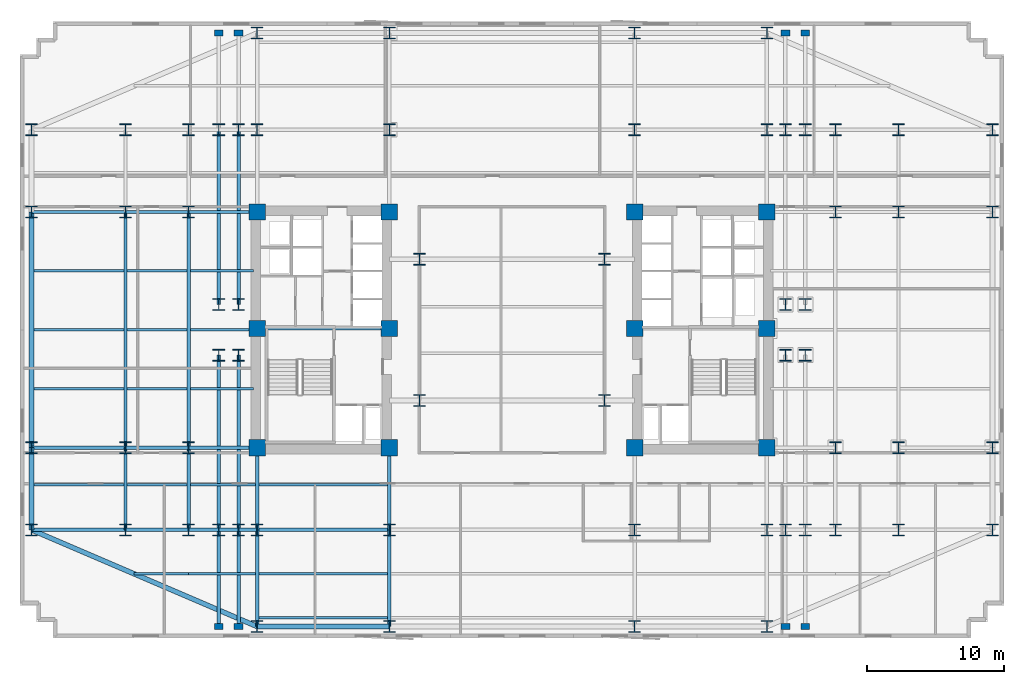
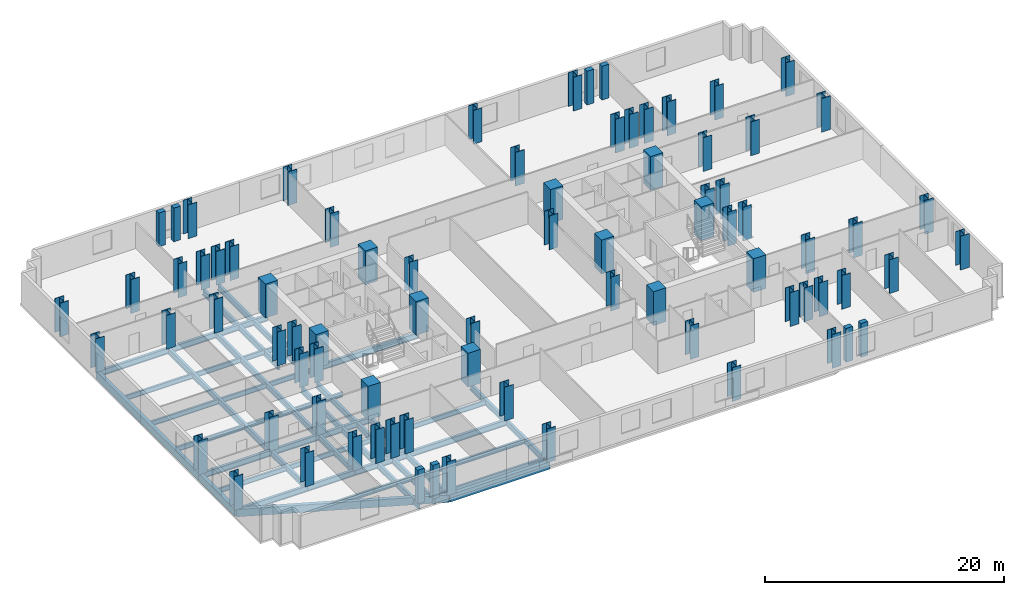
# One storey, part 1 of 10: 80 columns, 46 beams.
"""IFC4 building model written with IfcOpenShell, lengths in metres."""

from ifc_helpers import new_model, si_unit, direction, frame, origin, origin_2d, place, context, subcontext, project, spatial, rectangle, i_section, extrude, material, material_profile, profile_set, type_object, element, save


model = new_model("IFC4")

# Units and contexts
model_context = context("Model", 3, precision=1e-05, world=origin(), true_north=direction((0.0, 1.0)))
body_context = subcontext(model_context, "Body", "Model", "MODEL_VIEW")
ifc_project = project(units=[si_unit("LENGTHUNIT", "METRE"), si_unit("AREAUNIT", "SQUARE_METRE"), si_unit("VOLUMEUNIT", "CUBIC_METRE"), si_unit("PLANEANGLEUNIT", "RADIAN"), si_unit("MASSUNIT", "GRAM", prefix="KILO")], contexts=[model_context])

# Site, building, storey
site_placement = place(None, origin())
site = spatial("IfcSite", under=ifc_project, at=site_placement, CompositionType="ELEMENT")
building_placement = place(site_placement, origin())
building = spatial("IfcBuilding", under=site, at=building_placement, Name="Velakula Bourse", CompositionType="ELEMENT")
storey_placement = place(building_placement, frame((0.0, 0.0, 41.550048828125)))
storey = spatial("IfcBuildingStorey", under=building, at=storey_placement, Name="L10", CompositionType="ELEMENT", Elevation=41.550048828125)

# Columns
ifc_material_1 = material(Name="Concrete M70 (fck 70 MPa)", Category="concrete")
ifc_material_profile_1 = material_profile(ifc_material_1, rectangle(XDim=1.199951171875, YDim=1.199951171875, at=origin_2d()), Name="Concrete M70 (fck 70 MPa)")
ifc_profile_set_1 = profile_set([ifc_material_profile_1], Name="Concrete M70 (fck 70 MPa)")
column_type_1 = type_object("IfcColumnType", Name="COL-RC-1200", PredefinedType="COLUMN", material=ifc_profile_set_1)
for number, where, z_axis, x_axis, name in (
    (1, (-8.949951171875, -8.60009765625, 0.0), (0.0, 0.0, 1.0), (1.0, 0.0, 0.0), "L10 Core Boundary Column 01"),
    (2, (-8.949951171875, 0.10009765625, 0.0), (0.0, 0.0, 1.0), (1.0, 0.0, 0.0), "L10 Core Boundary Column 02"),
    (3, (-8.949951171875, 8.60009765625, 0.0), (0.0, 0.0, 1.0), (1.0, 0.0, 0.0), "L10 Core Boundary Column 03"),
    (4, (-18.60009765625, -8.60009765625, 0.0), (0.0, 0.0, 1.0), (1.0, 0.0, 0.0), "L10 Core Boundary Column 04"),
    (5, (-18.60009765625, 0.10009765625, 0.0), (0.0, 0.0, 1.0), (1.0, 0.0, 0.0), "L10 Core Boundary Column 05"),
    (6, (-18.60009765625, 8.60009765625, 0.0), (0.0, 0.0, 1.0), (1.0, 0.0, 0.0), "L10 Core Boundary Column 06"),
    (7, (8.949951171875, -8.60009765625, 0.0), (0.0, 0.0, 1.0), (1.0, 0.0, 0.0), "L10 Core Boundary Column 07"),
    (8, (8.949951171875, 0.10009765625, 0.0), (0.0, 0.0, 1.0), (1.0, 0.0, 0.0), "L10 Core Boundary Column 08"),
    (9, (8.949951171875, 8.60009765625, 0.0), (0.0, 0.0, 1.0), (1.0, 0.0, 0.0), "L10 Core Boundary Column 09"),
    (10, (18.60009765625, -8.60009765625, 0.0), (0.0, 0.0, 1.0), (1.0, 0.0, 0.0), "L10 Core Boundary Column 10"),
    (11, (18.60009765625, 0.10009765625, 0.0), (0.0, 0.0, 1.0), (1.0, 0.0, 0.0), "L10 Core Boundary Column 11"),
    (12, (18.60009765625, 8.60009765625, 0.0), (0.0, 0.0, 1.0), (1.0, 0.0, 0.0), "L10 Core Boundary Column 12"),
):
    element("IfcColumn", number, at=place(storey_placement, frame(where, z_axis=z_axis, x_axis=x_axis)), inside=storey, type_object=column_type_1, Name=name, PredefinedType="COLUMN", context=body_context, shape_type="SweptSolid", body=[
        extrude(rectangle(XDim=1.199951171875, YDim=1.199951171875, at=origin_2d()), origin(), (0.0, 0.0, 1.0), 3.449951171875),
    ])
ifc_material_2 = material(Name="Steel IS 2062 Grade 450 (E450)", Category="steel")
ifc_material_profile_2 = material_profile(ifc_material_2, i_section(OverallWidth=0.85009765625, OverallDepth=0.85009765625, WebThickness=0.031982421875, FlangeThickness=0.048095703125, at=origin_2d()), Name="Steel IS 2062 Grade 450 (E450)")
ifc_profile_set_2 = profile_set([ifc_material_profile_2], Name="Steel IS 2062 Grade 450 (E450)")
column_type_2 = type_object("IfcColumnType", Name="COL-STL-850", PredefinedType="COLUMN", material=ifc_profile_set_2)
for number, where, z_axis, x_axis, name in (
    (13, (-6.75, -5.14990234375, 0.0), (0.0, 0.0, 1.0), (1.0, 0.0, 0.0), "L10 Central Spine Column 01"),
    (14, (-6.75, 5.14990234375, 0.0), (0.0, 0.0, 1.0), (1.0, 0.0, 0.0), "L10 Central Spine Column 02"),
    (15, (6.75, -5.14990234375, 0.0), (0.0, 0.0, 1.0), (1.0, 0.0, 0.0), "L10 Central Spine Column 03"),
    (16, (6.75, 5.14990234375, 0.0), (0.0, 0.0, 1.0), (1.0, 0.0, 0.0), "L10 Central Spine Column 04"),
    (17, (-21.39990234375, -14.60009765625, 0.0), (0.0, 0.0, 1.0), (1.0, 0.0, 0.0), "L10 Tower Fulcrum Column 01"),
    (18, (-21.39990234375, 14.60009765625, 0.0), (0.0, 0.0, 1.0), (1.0, 0.0, 0.0), "L10 Tower Fulcrum Column 02"),
    (19, (-19.949951171875, -14.60009765625, 0.0), (0.0, 0.0, 1.0), (1.0, 0.0, 0.0), "L10 Tower Fulcrum Column 03"),
    (20, (-19.949951171875, 14.60009765625, 0.0), (0.0, 0.0, 1.0), (1.0, 0.0, 0.0), "L10 Tower Fulcrum Column 04"),
    (21, (-18.60009765625, -14.60009765625, 0.0), (0.0, 0.0, 1.0), (1.0, 0.0, 0.0), "L10 Tower Fulcrum Column 05"),
    (22, (-18.60009765625, 14.60009765625, 0.0), (0.0, 0.0, 1.0), (1.0, 0.0, 0.0), "L10 Tower Fulcrum Column 06"),
    (23, (-8.949951171875, -14.60009765625, 0.0), (0.0, 0.0, 1.0), (1.0, 0.0, 0.0), "L10 Tower Fulcrum Column 07"),
    (24, (-8.949951171875, 14.60009765625, 0.0), (0.0, 0.0, 1.0), (1.0, 0.0, 0.0), "L10 Tower Fulcrum Column 08"),
    (25, (8.949951171875, -14.60009765625, 0.0), (0.0, 0.0, 1.0), (1.0, 0.0, 0.0), "L10 Tower Fulcrum Column 09"),
    (26, (8.949951171875, 14.60009765625, 0.0), (0.0, 0.0, 1.0), (1.0, 0.0, 0.0), "L10 Tower Fulcrum Column 10"),
    (27, (18.60009765625, -14.60009765625, 0.0), (0.0, 0.0, 1.0), (1.0, 0.0, 0.0), "L10 Tower Fulcrum Column 11"),
    (28, (18.60009765625, 14.60009765625, 0.0), (0.0, 0.0, 1.0), (1.0, 0.0, 0.0), "L10 Tower Fulcrum Column 12"),
    (29, (19.949951171875, -14.60009765625, 0.0), (0.0, 0.0, 1.0), (1.0, 0.0, 0.0), "L10 Tower Fulcrum Column 13"),
    (30, (19.949951171875, 14.60009765625, 0.0), (0.0, 0.0, 1.0), (1.0, 0.0, 0.0), "L10 Tower Fulcrum Column 14"),
    (31, (21.39990234375, -14.60009765625, 0.0), (0.0, 0.0, 1.0), (1.0, 0.0, 0.0), "L10 Tower Fulcrum Column 15"),
    (32, (21.39990234375, 14.60009765625, 0.0), (0.0, 0.0, 1.0), (1.0, 0.0, 0.0), "L10 Tower Fulcrum Column 16"),
    (33, (-21.39990234375, -1.85009765625, 0.0), (0.0, 0.0, 1.0), (1.0, 0.0, 0.0), "L10 Tower Fulcrum Column 17"),
    (34, (-21.39990234375, 1.85009765625, 0.0), (0.0, 0.0, 1.0), (1.0, 0.0, 0.0), "L10 Tower Fulcrum Column 18"),
    (35, (-19.949951171875, -1.85009765625, 0.0), (0.0, 0.0, 1.0), (1.0, 0.0, 0.0), "L10 Tower Fulcrum Column 19"),
    (36, (-19.949951171875, 1.85009765625, 0.0), (0.0, 0.0, 1.0), (1.0, 0.0, 0.0), "L10 Tower Fulcrum Column 20"),
    (37, (19.949951171875, -1.85009765625, 0.0), (0.0, 0.0, 1.0), (1.0, 0.0, 0.0), "L10 Tower Fulcrum Column 21"),
    (38, (19.949951171875, 1.85009765625, 0.0), (0.0, 0.0, 1.0), (1.0, 0.0, 0.0), "L10 Tower Fulcrum Column 22"),
    (39, (21.39990234375, -1.85009765625, 0.0), (0.0, 0.0, 1.0), (1.0, 0.0, 0.0), "L10 Tower Fulcrum Column 23"),
    (40, (21.39990234375, 1.85009765625, 0.0), (0.0, 0.0, 1.0), (1.0, 0.0, 0.0), "L10 Tower Fulcrum Column 24"),
    (41, (-23.60009765625, -14.60009765625, 0.0), (0.0, 0.0, 1.0), (1.0, 0.0, 0.0), "L10 Mid-Wing Plumb Column 01"),
    (42, (-23.60009765625, -8.60009765625, 0.0), (0.0, 0.0, 1.0), (1.0, 0.0, 0.0), "L10 Mid-Wing Plumb Column 02"),
    (43, (-23.60009765625, 8.60009765625, 0.0), (0.0, 0.0, 1.0), (1.0, 0.0, 0.0), "L10 Mid-Wing Plumb Column 03"),
    (44, (-23.60009765625, 14.60009765625, 0.0), (0.0, 0.0, 1.0), (1.0, 0.0, 0.0), "L10 Mid-Wing Plumb Column 04"),
    (45, (23.60009765625, -14.60009765625, 0.0), (0.0, 0.0, 1.0), (1.0, 0.0, 0.0), "L10 Mid-Wing Plumb Column 05"),
    (46, (23.60009765625, -8.60009765625, 0.0), (0.0, 0.0, 1.0), (1.0, 0.0, 0.0), "L10 Mid-Wing Plumb Column 06"),
    (47, (23.60009765625, 8.60009765625, 0.0), (0.0, 0.0, 1.0), (1.0, 0.0, 0.0), "L10 Mid-Wing Plumb Column 07"),
    (48, (23.60009765625, 14.60009765625, 0.0), (0.0, 0.0, 1.0), (1.0, 0.0, 0.0), "L10 Mid-Wing Plumb Column 08"),
    (49, (-28.199951171875, -14.60009765625, 0.0), (0.0, 0.0, 1.0), (1.0, 0.0, 0.0), "L10 Lower Wing Column 01"),
    (50, (-28.199951171875, -8.60009765625, 0.0), (0.0, 0.0, 1.0), (1.0, 0.0, 0.0), "L10 Lower Wing Column 02"),
    (51, (-28.199951171875, 8.60009765625, 0.0), (0.0, 0.0, 1.0), (1.0, 0.0, 0.0), "L10 Lower Wing Column 03"),
    (52, (-28.199951171875, 14.60009765625, 0.0), (0.0, 0.0, 1.0), (1.0, 0.0, 0.0), "L10 Lower Wing Column 04"),
    (53, (28.199951171875, -14.60009765625, 0.0), (0.0, 0.0, 1.0), (1.0, 0.0, 0.0), "L10 Lower Wing Column 05"),
    (54, (28.199951171875, -8.60009765625, 0.0), (0.0, 0.0, 1.0), (1.0, 0.0, 0.0), "L10 Lower Wing Column 06"),
    (55, (28.199951171875, 8.60009765625, 0.0), (0.0, 0.0, 1.0), (1.0, 0.0, 0.0), "L10 Lower Wing Column 07"),
    (56, (28.199951171875, 14.60009765625, 0.0), (0.0, 0.0, 1.0), (1.0, 0.0, 0.0), "L10 Lower Wing Column 08"),
    (57, (-18.60009765625, -21.64990234375, 0.0), (0.0, 0.0, 1.0), (1.0, 0.0, 0.0), "L10 Block B1 Perimeter Column S1"),
    (58, (-8.949951171875, -21.64990234375, 0.0), (0.0, 0.0, 1.0), (1.0, 0.0, 0.0), "L10 Block B1 Perimeter Column S2"),
    (59, (8.949951171875, -21.64990234375, 0.0), (0.0, 0.0, 1.0), (1.0, 0.0, 0.0), "L10 Block B1 Perimeter Column S3"),
    (60, (18.60009765625, -21.64990234375, 0.0), (0.0, 0.0, 1.0), (1.0, 0.0, 0.0), "L10 Block B1 Perimeter Column S4"),
    (61, (-18.60009765625, 21.64990234375, 0.0), (0.0, 0.0, 1.0), (1.0, 0.0, 0.0), "L10 Block B1 Perimeter Column N1"),
    (62, (-8.949951171875, 21.64990234375, 0.0), (0.0, 0.0, 1.0), (1.0, 0.0, 0.0), "L10 Block B1 Perimeter Column N2"),
    (63, (8.949951171875, 21.64990234375, 0.0), (0.0, 0.0, 1.0), (1.0, 0.0, 0.0), "L10 Block B1 Perimeter Column N3"),
    (64, (18.60009765625, 21.64990234375, 0.0), (0.0, 0.0, 1.0), (1.0, 0.0, 0.0), "L10 Block B1 Perimeter Column N4"),
    (65, (-35.050048828125, -14.60009765625, 0.0), (0.0, 0.0, 1.0), (1.0, 0.0, 0.0), "L10 Block B1 Perimeter Column W1"),
    (66, (-35.050048828125, -8.60009765625, 0.0), (0.0, 0.0, 1.0), (1.0, 0.0, 0.0), "L10 Block B1 Perimeter Column W2"),
    (67, (-35.050048828125, 8.60009765625, 0.0), (0.0, 0.0, 1.0), (1.0, 0.0, 0.0), "L10 Block B1 Perimeter Column W3"),
    (68, (-35.050048828125, 14.60009765625, 0.0), (0.0, 0.0, 1.0), (1.0, 0.0, 0.0), "L10 Block B1 Perimeter Column W4"),
    (69, (35.050048828125, -14.60009765625, 0.0), (0.0, 0.0, 1.0), (1.0, 0.0, 0.0), "L10 Block B1 Perimeter Column E1"),
    (70, (35.050048828125, -8.60009765625, 0.0), (0.0, 0.0, 1.0), (1.0, 0.0, 0.0), "L10 Block B1 Perimeter Column E2"),
    (71, (35.050048828125, 8.60009765625, 0.0), (0.0, 0.0, 1.0), (1.0, 0.0, 0.0), "L10 Block B1 Perimeter Column E3"),
    (72, (35.050048828125, 14.60009765625, 0.0), (0.0, 0.0, 1.0), (1.0, 0.0, 0.0), "L10 Block B1 Perimeter Column E4"),
):
    element("IfcColumn", number, at=place(storey_placement, frame(where, z_axis=z_axis, x_axis=x_axis)), inside=storey, type_object=column_type_2, Name=name, PredefinedType="COLUMN", context=body_context, shape_type="SweptSolid", body=[
        extrude(i_section(OverallWidth=0.85009765625, OverallDepth=0.85009765625, WebThickness=0.031982421875, FlangeThickness=0.048095703125, at=origin_2d()), origin(), (0.0, 0.0, 1.0), 3.449951171875),
    ])
ifc_material_3 = material(Name="Precast concrete M45 (fck 45 MPa)", Category="concrete")
ifc_material_profile_3 = material_profile(ifc_material_3, rectangle(XDim=0.64990234375, YDim=0.449951171875, at=origin_2d()), Name="Precast concrete M45 (fck 45 MPa)")
ifc_profile_set_3 = profile_set([ifc_material_profile_3], Name="Precast concrete M45 (fck 45 MPa)")
column_type_3 = type_object("IfcColumnType", Name="PIL-BRICK-650", PredefinedType="PILASTER", material=ifc_profile_set_3)
for number, where, z_axis, x_axis, name in (
    (73, (-21.39990234375, -21.64990234375, 0.0), (0.0, 0.0, 1.0), (1.0, 0.0, 0.0), "L10 Brick Pier Pilaster 01"),
    (74, (-19.949951171875, -21.64990234375, 0.0), (0.0, 0.0, 1.0), (1.0, 0.0, 0.0), "L10 Brick Pier Pilaster 02"),
    (75, (19.949951171875, -21.64990234375, 0.0), (0.0, 0.0, 1.0), (1.0, 0.0, 0.0), "L10 Brick Pier Pilaster 03"),
    (76, (21.39990234375, -21.64990234375, 0.0), (0.0, 0.0, 1.0), (1.0, 0.0, 0.0), "L10 Brick Pier Pilaster 04"),
    (77, (-21.39990234375, 21.64990234375, 0.0), (0.0, 0.0, 1.0), (1.0, 0.0, 0.0), "L10 Brick Pier Pilaster 05"),
    (78, (-19.949951171875, 21.64990234375, 0.0), (0.0, 0.0, 1.0), (1.0, 0.0, 0.0), "L10 Brick Pier Pilaster 06"),
    (79, (19.949951171875, 21.64990234375, 0.0), (0.0, 0.0, 1.0), (1.0, 0.0, 0.0), "L10 Brick Pier Pilaster 07"),
    (80, (21.39990234375, 21.64990234375, 0.0), (0.0, 0.0, 1.0), (1.0, 0.0, 0.0), "L10 Brick Pier Pilaster 08"),
):
    element("IfcColumn", number, at=place(storey_placement, frame(where, z_axis=z_axis, x_axis=x_axis)), inside=storey, type_object=column_type_3, Name=name, PredefinedType="PILASTER", context=body_context, shape_type="SweptSolid", body=[
        extrude(rectangle(XDim=0.64990234375, YDim=0.449951171875, at=origin_2d()), origin(), (0.0, 0.0, 1.0), 3.449951171875),
    ])

# Beams
ifc_material_4 = material(Name="Steel IS 2062 Grade 350 (E350)", Category="steel")
ifc_material_profile_4 = material_profile(ifc_material_4, i_section(OverallWidth=0.25, OverallDepth=0.60009765625, WebThickness=0.01171875, FlangeThickness=0.023681640625, at=origin_2d()), Name="Steel IS 2062 Grade 350 (E350)")
ifc_profile_set_4 = profile_set([ifc_material_profile_4], Name="Steel IS 2062 Grade 350 (E350)")
beam_type_1 = type_object("IfcBeamType", Name="BM-GRD-600H", PredefinedType="BEAM", material=ifc_profile_set_4)
beam_1_placement = place(storey_placement, frame((-18.60009765625, 0.10009765625, -0.47998046875), z_axis=(1.0, 0.0, 0.0), x_axis=(0.0, 1.0, 0.0)))
element("IfcBeam", 81, at=beam_1_placement, inside=storey, type_object=beam_type_1, Name="L10 Primary Backbone Girder CRW-M", PredefinedType="BEAM", context=body_context, shape_type="SweptSolid", body=[
    extrude(i_section(OverallWidth=0.25, OverallDepth=0.60009765625, WebThickness=0.01171875, FlangeThickness=0.023681640625, at=origin_2d()), origin(), (0.0, 0.0, 1.0), 9.650146484375),
])
for number, where, z_axis, x_axis, name in (
    (82, (-18.60009765625, -14.60009765625, -0.47998046875), (0.0, 1.0, 0.0), (-1.0, 0.0, 0.0), "L10 Fulcrum Grid Girder FLC-WS"),
    (83, (-8.949951171875, -14.60009765625, -0.47998046875), (0.0, 1.0, 0.0), (-1.0, 0.0, 0.0), "L10 Fulcrum Grid Girder FLC-WCS"),
):
    element("IfcBeam", number, at=place(storey_placement, frame(where, z_axis=z_axis, x_axis=x_axis)), inside=storey, type_object=beam_type_1, Name=name, PredefinedType="BEAM", context=body_context, shape_type="SweptSolid", body=[
        extrude(i_section(OverallWidth=0.25, OverallDepth=0.60009765625, WebThickness=0.01171875, FlangeThickness=0.023681640625, at=origin_2d()), origin(), (0.0, 0.0, 1.0), 6.0),
    ])
beam_2_placement = place(storey_placement, frame((-18.60009765625, -14.60009765625, -0.47998046875), z_axis=(1.0, 0.0, 0.0), x_axis=(0.0, 1.0, 0.0)))
element("IfcBeam", 84, at=beam_2_placement, inside=storey, type_object=beam_type_1, Name="L10 Fulcrum Grid Girder FLC-S1", PredefinedType="BEAM", context=body_context, shape_type="SweptSolid", body=[
    extrude(i_section(OverallWidth=0.25, OverallDepth=0.60009765625, WebThickness=0.01171875, FlangeThickness=0.023681640625, at=origin_2d()), origin(), (0.0, 0.0, 1.0), 9.650146484375),
])
for number, where, z_axis, x_axis, name in (
    (85, (-21.39990234375, -14.60009765625, -0.47998046875), (0.0, 1.0, 0.0), (-1.0, 0.0, 0.0), "L10 Fulcrum Grid Girder FLC-PSW1"),
    (86, (-21.39990234375, 1.85009765625, -0.47998046875), (0.0, 1.0, 0.0), (-1.0, 0.0, 0.0), "L10 Fulcrum Grid Girder FLC-PNW1"),
    (87, (-19.949951171875, -14.60009765625, -0.47998046875), (0.0, 1.0, 0.0), (-1.0, 0.0, 0.0), "L10 Fulcrum Grid Girder FLC-PSW2"),
    (88, (-19.949951171875, 1.85009765625, -0.47998046875), (0.0, 1.0, 0.0), (-1.0, 0.0, 0.0), "L10 Fulcrum Grid Girder FLC-PNW2"),
):
    element("IfcBeam", number, at=place(storey_placement, frame(where, z_axis=z_axis, x_axis=x_axis)), inside=storey, type_object=beam_type_1, Name=name, PredefinedType="BEAM", context=body_context, shape_type="SweptSolid", body=[
        extrude(i_section(OverallWidth=0.25, OverallDepth=0.60009765625, WebThickness=0.01171875, FlangeThickness=0.023681640625, at=origin_2d()), origin(), (0.0, 0.0, 1.0), 12.75),
    ])
for number, where, z_axis, x_axis, name in (
    (89, (-23.60009765625, -14.60009765625, -0.47998046875), (1.0, 0.0, 0.0), (0.0, 1.0, 0.0), "L10 Fulcrum Grid Girder MWG-WS1"),
    (90, (-23.60009765625, -8.60009765625, -0.47998046875), (1.0, 0.0, 0.0), (0.0, 1.0, 0.0), "L10 Fulcrum Grid Girder MWG-WS2"),
    (91, (-23.60009765625, 8.60009765625, -0.47998046875), (1.0, 0.0, 0.0), (0.0, 1.0, 0.0), "L10 Fulcrum Grid Girder MWG-WN1"),
):
    element("IfcBeam", number, at=place(storey_placement, frame(where, z_axis=z_axis, x_axis=x_axis)), inside=storey, type_object=beam_type_1, Name=name, PredefinedType="BEAM", context=body_context, shape_type="SweptSolid", body=[
        extrude(i_section(OverallWidth=0.25, OverallDepth=0.60009765625, WebThickness=0.01171875, FlangeThickness=0.023681640625, at=origin_2d()), origin(), (0.0, 0.0, 1.0), 5.0),
    ])
beam_3_placement = place(storey_placement, frame((-23.60009765625, -14.60009765625, -0.47998046875), z_axis=(0.0, 1.0, 0.0), x_axis=(-1.0, 0.0, 0.0)))
element("IfcBeam", 92, at=beam_3_placement, inside=storey, type_object=beam_type_1, Name="L10 Fulcrum Grid Girder MWG-WNS1", PredefinedType="BEAM", context=body_context, shape_type="SweptSolid", body=[
    extrude(i_section(OverallWidth=0.25, OverallDepth=0.60009765625, WebThickness=0.01171875, FlangeThickness=0.023681640625, at=origin_2d()), origin(), (0.0, 0.0, 1.0), 6.0),
])
beam_4_placement = place(storey_placement, frame((-23.60009765625, -8.60009765625, -0.47998046875), z_axis=(0.0, 1.0, 0.0), x_axis=(-1.0, 0.0, 0.0)))
element("IfcBeam", 93, at=beam_4_placement, inside=storey, type_object=beam_type_1, Name="L10 Fulcrum Grid Girder MWG-WNS2", PredefinedType="BEAM", context=body_context, shape_type="SweptSolid", body=[
    extrude(i_section(OverallWidth=0.25, OverallDepth=0.60009765625, WebThickness=0.01171875, FlangeThickness=0.023681640625, at=origin_2d()), origin(), (0.0, 0.0, 1.0), 17.2001953125),
])
for number, where, z_axis, x_axis, name in (
    (94, (-28.199951171875, -14.60009765625, -0.47998046875), (1.0, 0.0, 0.0), (0.0, 1.0, 0.0), "L10 Fulcrum Grid Girder WNG-WS1"),
    (95, (-28.199951171875, -8.60009765625, -0.47998046875), (1.0, 0.0, 0.0), (0.0, 1.0, 0.0), "L10 Fulcrum Grid Girder WNG-WS2"),
    (96, (-28.199951171875, 8.60009765625, -0.47998046875), (1.0, 0.0, 0.0), (0.0, 1.0, 0.0), "L10 Fulcrum Grid Girder WNG-WN1"),
):
    element("IfcBeam", number, at=place(storey_placement, frame(where, z_axis=z_axis, x_axis=x_axis)), inside=storey, type_object=beam_type_1, Name=name, PredefinedType="BEAM", context=body_context, shape_type="SweptSolid", body=[
        extrude(i_section(OverallWidth=0.25, OverallDepth=0.60009765625, WebThickness=0.01171875, FlangeThickness=0.023681640625, at=origin_2d()), origin(), (0.0, 0.0, 1.0), 4.599853515625),
    ])
beam_5_placement = place(storey_placement, frame((-28.199951171875, -14.60009765625, -0.47998046875), z_axis=(0.0, 1.0, 0.0), x_axis=(-1.0, 0.0, 0.0)))
element("IfcBeam", 97, at=beam_5_placement, inside=storey, type_object=beam_type_1, Name="L10 Fulcrum Grid Girder WNG-WNS1", PredefinedType="BEAM", context=body_context, shape_type="SweptSolid", body=[
    extrude(i_section(OverallWidth=0.25, OverallDepth=0.60009765625, WebThickness=0.01171875, FlangeThickness=0.023681640625, at=origin_2d()), origin(), (0.0, 0.0, 1.0), 6.0),
])
beam_6_placement = place(storey_placement, frame((-28.199951171875, -8.60009765625, -0.47998046875), z_axis=(0.0, 1.0, 0.0), x_axis=(-1.0, 0.0, 0.0)))
element("IfcBeam", 98, at=beam_6_placement, inside=storey, type_object=beam_type_1, Name="L10 Fulcrum Grid Girder WNG-WNS2", PredefinedType="BEAM", context=body_context, shape_type="SweptSolid", body=[
    extrude(i_section(OverallWidth=0.25, OverallDepth=0.60009765625, WebThickness=0.01171875, FlangeThickness=0.023681640625, at=origin_2d()), origin(), (0.0, 0.0, 1.0), 17.2001953125),
])
for number, where, z_axis, x_axis, name in (
    (99, (-18.60009765625, -14.60009765625, -0.47998046875), (0.0, -1.0, 0.0), (1.0, 0.0, 0.0), "L10 Perimeter Tie Girder S1"),
    (100, (-8.949951171875, -14.60009765625, -0.47998046875), (0.0, -1.0, 0.0), (1.0, 0.0, 0.0), "L10 Perimeter Tie Girder S2"),
):
    element("IfcBeam", number, at=place(storey_placement, frame(where, z_axis=z_axis, x_axis=x_axis)), inside=storey, type_object=beam_type_1, Name=name, PredefinedType="BEAM", context=body_context, shape_type="SweptSolid", body=[
        extrude(i_section(OverallWidth=0.25, OverallDepth=0.60009765625, WebThickness=0.01171875, FlangeThickness=0.023681640625, at=origin_2d()), origin(), (0.0, 0.0, 1.0), 7.0498046875),
    ])
for number, where, z_axis, x_axis, name in (
    (101, (-28.199951171875, -14.60009765625, -0.47998046875), (-1.0, 0.0, 0.0), (0.0, -1.0, 0.0), "L10 Perimeter Tie Girder W1"),
    (102, (-28.199951171875, -8.60009765625, -0.47998046875), (-1.0, 0.0, 0.0), (0.0, -1.0, 0.0), "L10 Perimeter Tie Girder W2"),
    (103, (-28.199951171875, 8.60009765625, -0.47998046875), (-1.0, 0.0, 0.0), (0.0, -1.0, 0.0), "L10 Perimeter Tie Girder W3"),
):
    element("IfcBeam", number, at=place(storey_placement, frame(where, z_axis=z_axis, x_axis=x_axis)), inside=storey, type_object=beam_type_1, Name=name, PredefinedType="BEAM", context=body_context, shape_type="SweptSolid", body=[
        extrude(i_section(OverallWidth=0.25, OverallDepth=0.60009765625, WebThickness=0.01171875, FlangeThickness=0.023681640625, at=origin_2d()), origin(), (0.0, 0.0, 1.0), 6.85009765625),
    ])
for number, where, z_axis, x_axis, name in (
    (104, (-21.39990234375, -14.60009765625, -0.47998046875), (0.0, -1.0, 0.0), (1.0, 0.0, 0.0), "L10 Perimeter Tie Girder P01"),
    (105, (-19.949951171875, -14.60009765625, -0.47998046875), (0.0, -1.0, 0.0), (1.0, 0.0, 0.0), "L10 Perimeter Tie Girder P02"),
):
    element("IfcBeam", number, at=place(storey_placement, frame(where, z_axis=z_axis, x_axis=x_axis)), inside=storey, type_object=beam_type_1, Name=name, PredefinedType="BEAM", context=body_context, shape_type="SweptSolid", body=[
        extrude(i_section(OverallWidth=0.25, OverallDepth=0.60009765625, WebThickness=0.01171875, FlangeThickness=0.023681640625, at=origin_2d()), origin(), (0.0, 0.0, 1.0), 7.0498046875),
    ])
ifc_material_profile_5 = material_profile(ifc_material_4, i_section(OverallWidth=0.179931640625, OverallDepth=0.5, WebThickness=0.01025390625, FlangeThickness=0.01708984375, at=origin_2d()), Name="Steel IS 2062 Grade 350 (E350)")
ifc_profile_set_5 = profile_set([ifc_material_profile_5], Name="Steel IS 2062 Grade 350 (E350)")
beam_type_2 = type_object("IfcBeamType", Name="JST-TWR-500", PredefinedType="JOIST", material=ifc_profile_set_5)
beam_7_placement = place(storey_placement, frame((-18.47509765625, -21.0, -0.429931640625), z_axis=(1.0, 0.0, 0.0), x_axis=(0.0, 1.0, 0.0)))
element("IfcBeam", 106, at=beam_7_placement, inside=storey, type_object=beam_type_2, Name="L10 Trading Floor Composite Joist 01", PredefinedType="JOIST", context=body_context, shape_type="SweptSolid", body=[
    extrude(i_section(OverallWidth=0.179931640625, OverallDepth=0.5, WebThickness=0.01025390625, FlangeThickness=0.01708984375, at=origin_2d()), origin(), (0.0, 0.0, 1.0), 9.400146484375),
])
beam_8_placement = place(storey_placement, frame((-27.583251953125, -17.800048828125, -0.429931640625), z_axis=(1.0, 0.0, 0.0), x_axis=(0.0, 1.0, 0.0)))
element("IfcBeam", 107, at=beam_8_placement, inside=storey, type_object=beam_type_2, Name="L10 Trading Floor Composite Joist 04", PredefinedType="JOIST", context=body_context, shape_type="SweptSolid", body=[
    extrude(i_section(OverallWidth=0.179931640625, OverallDepth=0.5, WebThickness=0.01025390625, FlangeThickness=0.01708984375, at=origin_2d()), origin(), (0.0, 0.0, 1.0), 3.983154296875),
])
beam_9_placement = place(storey_placement, frame((-23.60009765625, -17.800048828125, -0.429931640625), z_axis=(1.0, 0.0, 0.0), x_axis=(0.0, 1.0, 0.0)))
element("IfcBeam", 108, at=beam_9_placement, inside=storey, type_object=beam_type_2, Name="L10 Trading Floor Composite Joist 05", PredefinedType="JOIST", context=body_context, shape_type="SweptSolid", body=[
    extrude(i_section(OverallWidth=0.179931640625, OverallDepth=0.5, WebThickness=0.01025390625, FlangeThickness=0.01708984375, at=origin_2d()), origin(), (0.0, 0.0, 1.0), 4.875),
])
beam_10_placement = place(storey_placement, frame((-18.47509765625, -17.800048828125, -0.429931640625), z_axis=(1.0, 0.0, 0.0), x_axis=(0.0, 1.0, 0.0)))
element("IfcBeam", 109, at=beam_10_placement, inside=storey, type_object=beam_type_2, Name="L10 Trading Floor Composite Joist 06", PredefinedType="JOIST", context=body_context, shape_type="SweptSolid", body=[
    extrude(i_section(OverallWidth=0.179931640625, OverallDepth=0.5, WebThickness=0.01025390625, FlangeThickness=0.01708984375, at=origin_2d()), origin(), (0.0, 0.0, 1.0), 9.400146484375),
])
beam_11_placement = place(storey_placement, frame((-34.875, -11.300048828125, -0.429931640625), z_axis=(1.0, 0.0, 0.0), x_axis=(0.0, 1.0, 0.0)))
element("IfcBeam", 110, at=beam_11_placement, inside=storey, type_object=beam_type_2, Name="L10 Trading Floor Composite Joist 11", PredefinedType="JOIST", context=body_context, shape_type="SweptSolid", body=[
    extrude(i_section(OverallWidth=0.179931640625, OverallDepth=0.5, WebThickness=0.01025390625, FlangeThickness=0.01708984375, at=origin_2d()), origin(), (0.0, 0.0, 1.0), 6.550048828125),
])
beam_12_placement = place(storey_placement, frame((-28.074951171875, -11.300048828125, -0.429931640625), z_axis=(1.0, 0.0, 0.0), x_axis=(0.0, 1.0, 0.0)))
element("IfcBeam", 111, at=beam_12_placement, inside=storey, type_object=beam_type_2, Name="L10 Trading Floor Composite Joist 12", PredefinedType="JOIST", context=body_context, shape_type="SweptSolid", body=[
    extrude(i_section(OverallWidth=0.179931640625, OverallDepth=0.5, WebThickness=0.01025390625, FlangeThickness=0.01708984375, at=origin_2d()), origin(), (0.0, 0.0, 1.0), 4.349853515625),
])
beam_13_placement = place(storey_placement, frame((-23.47509765625, -11.300048828125, -0.429931640625), z_axis=(1.0, 0.0, 0.0), x_axis=(0.0, 1.0, 0.0)))
element("IfcBeam", 112, at=beam_13_placement, inside=storey, type_object=beam_type_2, Name="L10 Trading Floor Composite Joist 13", PredefinedType="JOIST", context=body_context, shape_type="SweptSolid", body=[
    extrude(i_section(OverallWidth=0.179931640625, OverallDepth=0.5, WebThickness=0.01025390625, FlangeThickness=0.01708984375, at=origin_2d()), origin(), (0.0, 0.0, 1.0), 4.75),
])
beam_14_placement = place(storey_placement, frame((-18.47509765625, -11.300048828125, -0.429931640625), z_axis=(1.0, 0.0, 0.0), x_axis=(0.0, 1.0, 0.0)))
element("IfcBeam", 113, at=beam_14_placement, inside=storey, type_object=beam_type_2, Name="L10 Trading Floor Composite Joist 14", PredefinedType="JOIST", context=body_context, shape_type="SweptSolid", body=[
    extrude(i_section(OverallWidth=0.179931640625, OverallDepth=0.5, WebThickness=0.01025390625, FlangeThickness=0.01708984375, at=origin_2d()), origin(), (0.0, 0.0, 1.0), 9.400146484375),
])
beam_15_placement = place(storey_placement, frame((-34.875, -4.300048828125, -0.429931640625), z_axis=(1.0, 0.0, 0.0), x_axis=(0.0, 1.0, 0.0)))
element("IfcBeam", 114, at=beam_15_placement, inside=storey, type_object=beam_type_2, Name="L10 Trading Floor Composite Joist 41", PredefinedType="JOIST", context=body_context, shape_type="SweptSolid", body=[
    extrude(i_section(OverallWidth=0.179931640625, OverallDepth=0.5, WebThickness=0.01025390625, FlangeThickness=0.01708984375, at=origin_2d()), origin(), (0.0, 0.0, 1.0), 6.550048828125),
])
beam_16_placement = place(storey_placement, frame((-28.074951171875, -4.300048828125, -0.429931640625), z_axis=(1.0, 0.0, 0.0), x_axis=(0.0, 1.0, 0.0)))
element("IfcBeam", 115, at=beam_16_placement, inside=storey, type_object=beam_type_2, Name="L10 Trading Floor Composite Joist 42", PredefinedType="JOIST", context=body_context, shape_type="SweptSolid", body=[
    extrude(i_section(OverallWidth=0.179931640625, OverallDepth=0.5, WebThickness=0.01025390625, FlangeThickness=0.01708984375, at=origin_2d()), origin(), (0.0, 0.0, 1.0), 4.349853515625),
])
beam_17_placement = place(storey_placement, frame((-23.47509765625, -4.300048828125, -0.429931640625), z_axis=(1.0, 0.0, 0.0), x_axis=(0.0, 1.0, 0.0)))
element("IfcBeam", 116, at=beam_17_placement, inside=storey, type_object=beam_type_2, Name="L10 Trading Floor Composite Joist 43", PredefinedType="JOIST", context=body_context, shape_type="SweptSolid", body=[
    extrude(i_section(OverallWidth=0.179931640625, OverallDepth=0.5, WebThickness=0.01025390625, FlangeThickness=0.01708984375, at=origin_2d()), origin(), (0.0, 0.0, 1.0), 4.625),
])
beam_18_placement = place(storey_placement, frame((-34.875, 0.0, -0.429931640625), z_axis=(1.0, 0.0, 0.0), x_axis=(0.0, 1.0, 0.0)))
element("IfcBeam", 117, at=beam_18_placement, inside=storey, type_object=beam_type_2, Name="L10 Trading Floor Composite Joist 47", PredefinedType="JOIST", context=body_context, shape_type="SweptSolid", body=[
    extrude(i_section(OverallWidth=0.179931640625, OverallDepth=0.5, WebThickness=0.01025390625, FlangeThickness=0.01708984375, at=origin_2d()), origin(), (0.0, 0.0, 1.0), 6.550048828125),
])
beam_19_placement = place(storey_placement, frame((-28.074951171875, 0.0, -0.429931640625), z_axis=(1.0, 0.0, 0.0), x_axis=(0.0, 1.0, 0.0)))
element("IfcBeam", 118, at=beam_19_placement, inside=storey, type_object=beam_type_2, Name="L10 Trading Floor Composite Joist 48", PredefinedType="JOIST", context=body_context, shape_type="SweptSolid", body=[
    extrude(i_section(OverallWidth=0.179931640625, OverallDepth=0.5, WebThickness=0.01025390625, FlangeThickness=0.01708984375, at=origin_2d()), origin(), (0.0, 0.0, 1.0), 4.349853515625),
])
beam_20_placement = place(storey_placement, frame((-23.47509765625, 0.0, -0.429931640625), z_axis=(1.0, 0.0, 0.0), x_axis=(0.0, 1.0, 0.0)))
element("IfcBeam", 119, at=beam_20_placement, inside=storey, type_object=beam_type_2, Name="L10 Trading Floor Composite Joist 49", PredefinedType="JOIST", context=body_context, shape_type="SweptSolid", body=[
    extrude(i_section(OverallWidth=0.179931640625, OverallDepth=0.5, WebThickness=0.01025390625, FlangeThickness=0.01708984375, at=origin_2d()), origin(), (0.0, 0.0, 1.0), 4.625),
])
beam_21_placement = place(storey_placement, frame((-34.875, 4.300048828125, -0.429931640625), z_axis=(1.0, 0.0, 0.0), x_axis=(0.0, 1.0, 0.0)))
element("IfcBeam", 120, at=beam_21_placement, inside=storey, type_object=beam_type_2, Name="L10 Trading Floor Composite Joist 53", PredefinedType="JOIST", context=body_context, shape_type="SweptSolid", body=[
    extrude(i_section(OverallWidth=0.179931640625, OverallDepth=0.5, WebThickness=0.01025390625, FlangeThickness=0.01708984375, at=origin_2d()), origin(), (0.0, 0.0, 1.0), 6.550048828125),
])
beam_22_placement = place(storey_placement, frame((-28.074951171875, 4.300048828125, -0.429931640625), z_axis=(1.0, 0.0, 0.0), x_axis=(0.0, 1.0, 0.0)))
element("IfcBeam", 121, at=beam_22_placement, inside=storey, type_object=beam_type_2, Name="L10 Trading Floor Composite Joist 54", PredefinedType="JOIST", context=body_context, shape_type="SweptSolid", body=[
    extrude(i_section(OverallWidth=0.179931640625, OverallDepth=0.5, WebThickness=0.01025390625, FlangeThickness=0.01708984375, at=origin_2d()), origin(), (0.0, 0.0, 1.0), 4.349853515625),
])
beam_23_placement = place(storey_placement, frame((-23.47509765625, 4.300048828125, -0.429931640625), z_axis=(1.0, 0.0, 0.0), x_axis=(0.0, 1.0, 0.0)))
element("IfcBeam", 122, at=beam_23_placement, inside=storey, type_object=beam_type_2, Name="L10 Trading Floor Composite Joist 55", PredefinedType="JOIST", context=body_context, shape_type="SweptSolid", body=[
    extrude(i_section(OverallWidth=0.179931640625, OverallDepth=0.5, WebThickness=0.01025390625, FlangeThickness=0.01708984375, at=origin_2d()), origin(), (0.0, 0.0, 1.0), 4.625),
])
ifc_material_profile_6 = material_profile(ifc_material_3, rectangle(XDim=0.35009765625, YDim=0.75, at=origin_2d()), Name="Precast concrete M45 (fck 45 MPa)")
ifc_profile_set_6 = profile_set([ifc_material_profile_6], Name="Precast concrete M45 (fck 45 MPa)")
beam_type_3 = type_object("IfcBeamType", Name="SPN-BRICK-750", PredefinedType="SPANDREL", material=ifc_profile_set_6)
beam_24_placement = place(storey_placement, frame((-18.60009765625, -21.64990234375, -0.554931640625), z_axis=(1.0, 0.0, 0.0), x_axis=(0.0, 1.0, 0.0)))
element("IfcBeam", 123, at=beam_24_placement, inside=storey, type_object=beam_type_3, Name="L10 Brick-Faced Precast Spandrel S1-S2", PredefinedType="SPANDREL", context=body_context, shape_type="SweptSolid", body=[
    extrude(rectangle(XDim=0.35009765625, YDim=0.75, at=origin_2d()), origin(), (0.0, 0.0, 1.0), 9.650146484375),
])
beam_25_placement = place(storey_placement, frame((-35.050048828125, -14.60009765625, -0.554931640625), z_axis=(0.0, 1.0, 0.0), x_axis=(-1.0, 0.0, 0.0)))
element("IfcBeam", 124, at=beam_25_placement, inside=storey, type_object=beam_type_3, Name="L10 Brick-Faced Precast Spandrel W1-W2", PredefinedType="SPANDREL", context=body_context, shape_type="SweptSolid", body=[
    extrude(rectangle(XDim=0.35009765625, YDim=0.75, at=origin_2d()), origin(), (0.0, 0.0, 1.0), 6.0),
])
beam_26_placement = place(storey_placement, frame((-35.050048828125, -8.60009765625, -0.554931640625), z_axis=(0.0, 1.0, 0.0), x_axis=(-1.0, 0.0, 0.0)))
element("IfcBeam", 125, at=beam_26_placement, inside=storey, type_object=beam_type_3, Name="L10 Brick-Faced Precast Spandrel W2-W3", PredefinedType="SPANDREL", context=body_context, shape_type="SweptSolid", body=[
    extrude(rectangle(XDim=0.35009765625, YDim=0.75, at=origin_2d()), origin(), (0.0, 0.0, 1.0), 17.2001953125),
])
beam_27_placement = place(storey_placement, frame((-35.050048828125, -14.60009765625, -0.554931640625), z_axis=(0.919148557947, -0.393911066642, 0.0), x_axis=(0.393911066642, 0.919148557947, 0.0)))
element("IfcBeam", 126, at=beam_27_placement, inside=storey, type_object=beam_type_3, Name="L10 Brick-Faced Precast Spandrel W1-S1", PredefinedType="SPANDREL", context=body_context, shape_type="SweptSolid", body=[
    extrude(rectangle(XDim=0.35009765625, YDim=0.75, at=origin_2d()), origin(), (0.0, 0.0, 1.0), 17.89697265625),
])

save(model, "model.ifc")
